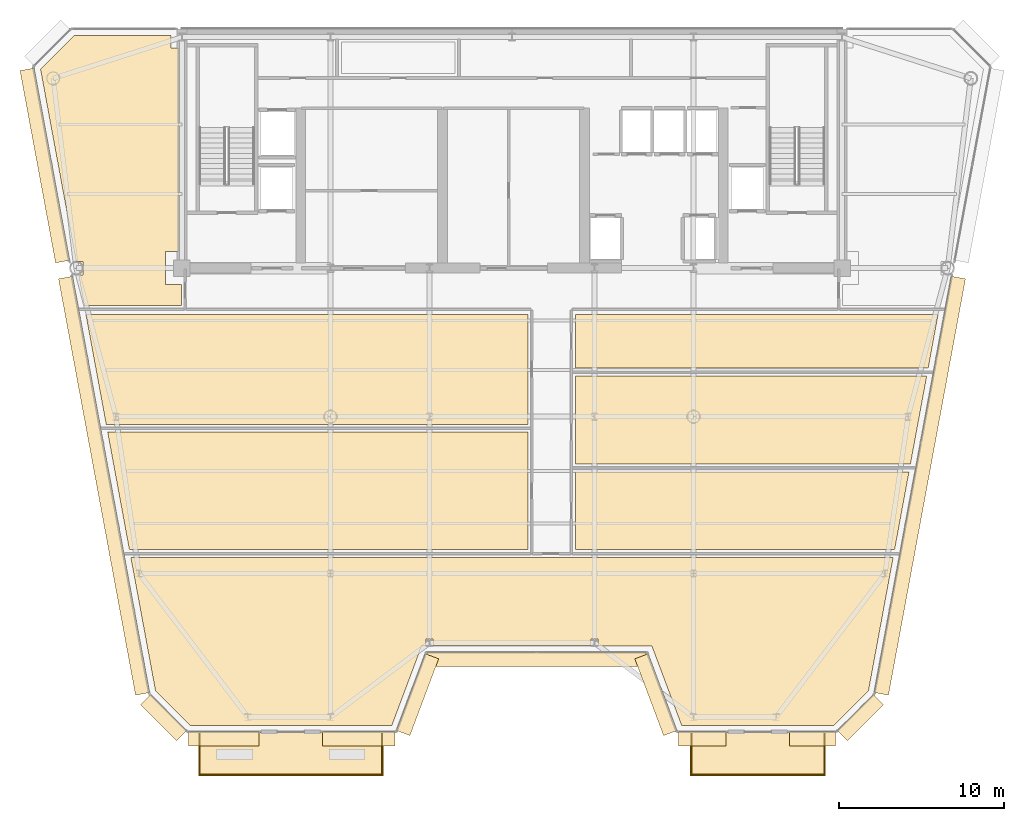
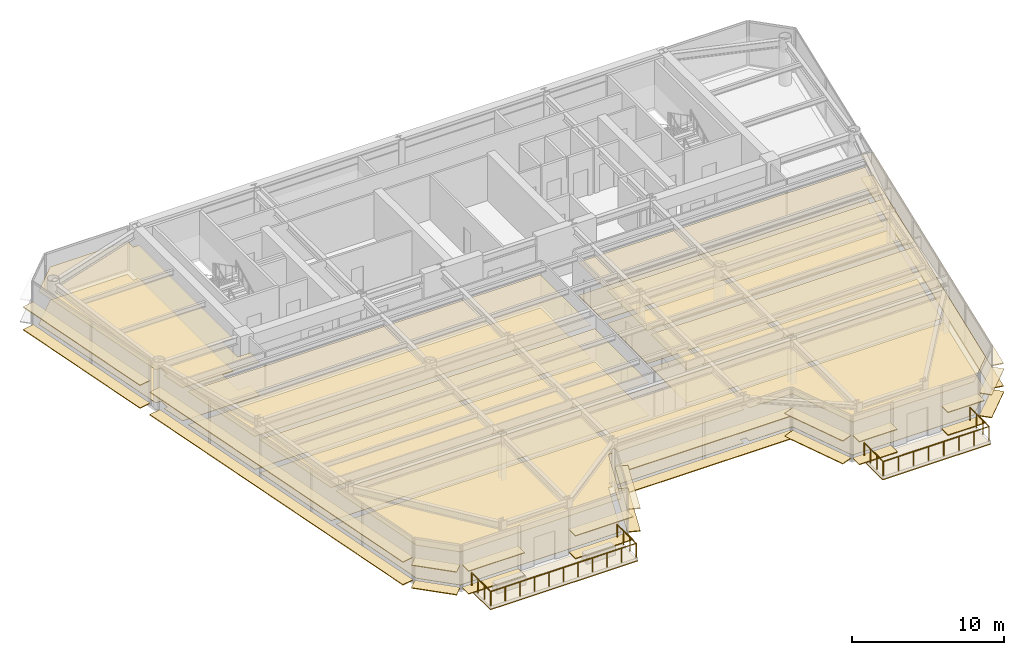
# One storey, part 13 of 16: 40 coverings, 2 railings.
"""IFC4 building model written with IfcOpenShell, lengths in metres."""

import ifcopenshell
import ifcopenshell.guid

model = None  # the IFC model being written
_history = None  # IfcOwnerHistory: only IFC2X3 demands one
_inside = {}  # id of a spatial element -> (the spatial element, [elements in it])
_under = {}  # id of a project, library or spatial element -> (it, [spatial elements below it])
_declared = {}  # id of a project -> (the project, [libraries it declares])
_typed = {}  # id of a type object -> (the type object, [elements of that type])
_made_of = {}  # id of a material, layer set ... -> (it, [elements and type objects made of it])


def new_model(schema):
    """Start an empty IFC model of exactly this schema.

    Asked for "IFC4X3", IfcOpenShell would pick the latest addendum, in which some entities
    have other attributes; the version numbers below select the first issue.
    IFC2X3 requires an IfcOwnerHistory on every rooted entity: one is made here for all.
    """
    global model, _history
    if schema == "IFC4X3":
        model = ifcopenshell.file(schema_version=(4, 3, 0, 0))
    else:
        model = ifcopenshell.file(schema=schema)
    _inside.clear()
    _under.clear()
    _declared.clear()
    _typed.clear()
    _made_of.clear()
    _history = None
    if model.schema == "IFC2X3":
        org = make("IfcOrganization", Name="unknown")
        user = make(
            "IfcPersonAndOrganization",
            ThePerson=make("IfcPerson", FamilyName="unknown"),
            TheOrganization=org,
        )
        app = make(
            "IfcApplication",
            ApplicationDeveloper=org,
            Version="unknown",
            ApplicationFullName="unknown",
            ApplicationIdentifier="unknown",
        )
        _history = make(
            "IfcOwnerHistory",
            OwningUser=user,
            OwningApplication=app,
            ChangeAction="ADDED",
            CreationDate=0,
        )
    return model


def make(cls, **values):
    """One entity of the class cls with the attributes given. An attribute that is None is left unset."""
    return model.create_entity(
        cls, **{name: value for name, value in values.items() if value is not None}
    )


def rooted(cls, **values):
    """An entity with a GlobalId (a new one), such as an element, a storey or a relation."""
    return make(cls, GlobalId=ifcopenshell.guid.new(), OwnerHistory=_history, **values)


def si_unit(unit_type, name, prefix=None):
    """IfcSIUnit, for example si_unit("LENGTHUNIT", "METRE", prefix="MILLI")."""
    return make("IfcSIUnit", UnitType=unit_type, Prefix=prefix, Name=name)


def assignment(units):
    """IfcUnitAssignment: the units of a project."""
    return None if units is None else make("IfcUnitAssignment", Units=units)


def point(xyz):
    """IfcCartesianPoint."""
    return None if xyz is None else make("IfcCartesianPoint", Coordinates=xyz)


def direction(xyz):
    """IfcDirection."""
    return None if xyz is None else make("IfcDirection", DirectionRatios=xyz)


def frame(location, z_axis=None, x_axis=None):
    """IfcAxis2Placement3D, a coordinate frame: its origin and axes. An axis left out is left unset."""
    return make(
        "IfcAxis2Placement3D",
        Location=point(location),
        Axis=direction(z_axis),
        RefDirection=direction(x_axis),
    )


def frame_2d(location, x_axis=None):
    """IfcAxis2Placement2D, a coordinate frame in the plane: its origin and x axis."""
    return make(
        "IfcAxis2Placement2D", Location=point(location), RefDirection=direction(x_axis)
    )


def origin():
    """The frame at (0, 0, 0) with its axes left unset."""
    return frame((0.0, 0.0, 0.0))


def origin_2d():
    """The frame at (0, 0) in the plane with its x axis left unset."""
    return frame_2d((0.0, 0.0))


def place(relative_to, where):
    """IfcLocalPlacement: puts the frame where relative to a parent placement (None: the world)."""
    return make(
        "IfcLocalPlacement", PlacementRelTo=relative_to, RelativePlacement=where
    )


def context(
    kind, dimensions, precision=None, world=None, true_north=None, identifier=None
):
    """IfcGeometricRepresentationContext, for example the 3D "Model" context."""
    return make(
        "IfcGeometricRepresentationContext",
        ContextIdentifier=identifier,
        ContextType=kind,
        CoordinateSpaceDimension=dimensions,
        Precision=precision,
        WorldCoordinateSystem=world,
        TrueNorth=true_north,
    )


def subcontext(parent, identifier, kind, view, scale=None):
    """IfcGeometricRepresentationSubContext, for example "Body" below "Model"."""
    return make(
        "IfcGeometricRepresentationSubContext",
        ContextIdentifier=identifier,
        ContextType=kind,
        ParentContext=parent,
        TargetScale=scale,
        TargetView=view,
    )


def project(units=None, contexts=None):
    """IfcProject with its units and contexts."""
    return rooted(
        "IfcProject",
        Name="project",
        RepresentationContexts=contexts,
        UnitsInContext=assignment(units),
    )


def spatial(cls, under=None, at=None, **own):
    """A site, building, storey or space (cls), placed at a placement, below another one or the project."""
    s = rooted(cls, ObjectPlacement=at, **own)
    if under is not None:
        _under.setdefault(under.id(), (under, []))[1].append(s)
    return s


def polyline(points):
    """IfcPolyline through the points."""
    return make("IfcPolyline", Points=[point(p) for p in points])


def profile(cls, at=None, kind="AREA", **sizes):
    """A parametric profile (cls). Its sizes go by their IFC names, for example OverallWidth=200.0."""
    return make(cls, ProfileType=kind, Position=at, **sizes)


def rectangle(**sizes):
    """IfcRectangleProfileDef."""
    return profile("IfcRectangleProfileDef", **sizes)


def circle(**sizes):
    """IfcCircleProfileDef."""
    return profile("IfcCircleProfileDef", **sizes)


def outline(outer, holes=None, kind="AREA"):
    """IfcArbitraryClosedProfileDef: a profile drawn as a closed curve; with holes, ...WithVoids."""
    if holes is None:
        return make("IfcArbitraryClosedProfileDef", ProfileType=kind, OuterCurve=outer)
    return make(
        "IfcArbitraryProfileDefWithVoids",
        ProfileType=kind,
        OuterCurve=outer,
        InnerCurves=holes,
    )


def extrude(swept, where, along, depth):
    """IfcExtrudedAreaSolid: the profile swept, set in the frame where, extruded along a direction by depth."""
    return make(
        "IfcExtrudedAreaSolid",
        SweptArea=swept,
        Position=where,
        ExtrudedDirection=direction(along),
        Depth=depth,
    )


def shape(context_of_items, identifier, shape_type, items):
    """IfcShapeRepresentation: the items that make up one representation, for example the "Body"."""
    return make(
        "IfcShapeRepresentation",
        ContextOfItems=context_of_items,
        RepresentationIdentifier=identifier,
        RepresentationType=shape_type,
        Items=items,
    )


def source(mapping_origin, context_of_items, identifier, shape_type, items):
    """IfcRepresentationMap: a shape defined once, which mapped items show again and again."""
    return make(
        "IfcRepresentationMap",
        MappingOrigin=mapping_origin,
        MappedRepresentation=shape(context_of_items, identifier, shape_type, items),
    )


def transform(
    local_origin,
    x_axis=None,
    y_axis=None,
    z_axis=None,
    scale=None,
    scale2=None,
    scale3=None,
    uniform=True,
):
    """IfcCartesianTransformationOperator3D, or its non-uniform kind. x_axis, y_axis, z_axis: its Axis1, 2, 3."""
    if uniform:
        return make(
            "IfcCartesianTransformationOperator3D",
            Axis1=direction(x_axis),
            Axis2=direction(y_axis),
            LocalOrigin=point(local_origin),
            Scale=scale,
            Axis3=direction(z_axis),
        )
    return make(
        "IfcCartesianTransformationOperator3DnonUniform",
        Axis1=direction(x_axis),
        Axis2=direction(y_axis),
        LocalOrigin=point(local_origin),
        Scale=scale,
        Axis3=direction(z_axis),
        Scale2=scale2,
        Scale3=scale3,
    )


def mapped(mapping_source, mapping_target):
    """IfcMappedItem: shows the shape of a source again, moved by a transform."""
    return make(
        "IfcMappedItem", MappingSource=mapping_source, MappingTarget=mapping_target
    )


def material(Name=None, Category=None):
    """IfcMaterial."""
    return make("IfcMaterial", Name=Name, Category=Category)


def layer(
    of_material, thickness, ventilated=None, Name=None, Category=None, Priority=None
):
    """IfcMaterialLayer: one layer of a wall or slab, of a material (None: an air gap)."""
    return make(
        "IfcMaterialLayer",
        Material=of_material,
        LayerThickness=thickness,
        IsVentilated=ventilated,
        Name=Name,
        Category=Category,
        Priority=Priority,
    )


def layer_set(layers, Name=None):
    """IfcMaterialLayerSet."""
    return make("IfcMaterialLayerSet", MaterialLayers=layers, LayerSetName=Name)


def made_of(thing, what):
    """Note that an element or type object is made of a material, layer set ...; save() writes the relation."""
    if what is not None:
        _made_of.setdefault(what.id(), (what, []))[1].append(thing)
    return thing


def type_object(cls, material=None, **own):
    """A type object (cls), such as IfcWallType, which elements share."""
    return made_of(rooted(cls, **own), material)


def element(
    cls,
    number,
    at=None,
    inside=None,
    cuts=None,
    type_object=None,
    material=None,
    context=None,
    identifier="Body",
    shape_type=None,
    held_by="IfcProductDefinitionShape",
    body=None,
    shapes=None,
    **own,
):
    """One element of the class cls, such as IfcWall. Its Tag is "e" and its number.

    at: its placement. inside: the storey or other place that contains it. cuts: it is an
    opening in that element (IfcRelVoidsElement). A single representation is given by context,
    identifier, shape_type and body (its items); several are given by shapes. held_by: the class
    of the entity that holds the representations. save() writes the other relations.
    """
    e = rooted(cls, Tag="e%d" % number, ObjectPlacement=at, **own)
    if body is not None:
        shapes = [shape(context, identifier, shape_type, body)]
    if shapes is not None:
        e.Representation = make(held_by, Representations=shapes)
    if inside is not None:
        _inside.setdefault(inside.id(), (inside, []))[1].append(e)
    if cuts is not None:
        rooted(
            "IfcRelVoidsElement", RelatingBuildingElement=cuts, RelatedOpeningElement=e
        )
    if type_object is not None:
        _typed.setdefault(type_object.id(), (type_object, []))[1].append(e)
    return made_of(e, material)


def aggregate(whole, parts):
    """IfcRelAggregates: a whole, such as a stair, and the parts it consists of."""
    return rooted("IfcRelAggregates", RelatingObject=whole, RelatedObjects=parts)


def save(model, path):
    """Write the relations noted so far, then the file.

    IfcRelAggregates (storeys below a building ...), IfcRelContainedInSpatialStructure (elements
    in a storey), IfcRelDefinesByType, IfcRelAssociatesMaterial and IfcRelDeclares: one each for
    every whole, place, type object, material and project.
    """
    for whole, parts in _under.values():
        aggregate(whole, parts)
    for where, things in _inside.values():
        rooted(
            "IfcRelContainedInSpatialStructure",
            RelatedElements=things,
            RelatingStructure=where,
        )
    for kind, things in _typed.values():
        rooted("IfcRelDefinesByType", RelatedObjects=things, RelatingType=kind)
    for what, things in _made_of.values():
        rooted("IfcRelAssociatesMaterial", RelatedObjects=things, RelatingMaterial=what)
    for by, libraries in _declared.values():
        rooted("IfcRelDeclares", RelatingContext=by, RelatedDefinitions=libraries)
    model.write(path)


model = new_model("IFC4")

# Units and contexts
model_context = context("Model", 3, precision=1e-05, world=origin(), true_north=direction((0.0, 1.0)))
body_context = subcontext(model_context, "Body", "Model", "MODEL_VIEW")
ifc_project = project(units=[si_unit("LENGTHUNIT", "METRE"), si_unit("AREAUNIT", "SQUARE_METRE"), si_unit("VOLUMEUNIT", "CUBIC_METRE"), si_unit("PLANEANGLEUNIT", "RADIAN"), si_unit("MASSUNIT", "GRAM", prefix="KILO")], contexts=[model_context])

# Site, building, storey
site_placement = place(None, origin())
site = spatial("IfcSite", under=ifc_project, at=site_placement, CompositionType="ELEMENT")
building_placement = place(site_placement, origin())
building = spatial("IfcBuilding", under=site, at=building_placement, Name="Vaeldorn Concourse Tower", CompositionType="ELEMENT")
storey_placement = place(building_placement, frame((0.0, 0.0, 207.0)))
storey = spatial("IfcBuildingStorey", under=building, at=storey_placement, Name="L53", CompositionType="ELEMENT", Elevation=207.0)

# Coverings
ifc_material_1 = material(Name="Acoustic Mineral Fibre Board", Category="gypsum")
ifc_layer_1 = layer(ifc_material_1, 0.0400390625)
ifc_layer_set_1 = layer_set([ifc_layer_1], Name="Acoustic Mineral Fibre Board")
covering_type_1 = type_object("IfcCoveringType", Name="COV-CEIL-ACOUSTIC", PredefinedType="CEILING", material=ifc_layer_set_1)
covering_1_placement = place(storey_placement, frame((0.0, 0.0, 2.64990234375)))
element("IfcCovering", 1, at=covering_1_placement, inside=storey, type_object=covering_type_1, Name="Suspended Acoustic Ceiling L53-3", PredefinedType="CEILING", context=body_context, shape_type="SweptSolid", body=[
    extrude(outline(polyline([(7.4658203125, 50.60009765625), (13.340087890625, 50.60009765625), (13.340087890625, 49.840087890625), (13.820068359375, 49.840087890625), (13.820068359375, 37.5), (13.0, 37.5), (13.0, 35.5), (13.9599609375, 35.5), (13.9599609375, 34.239990234375), (8.08154296875, 34.239990234375), (7.73876953125, 36.093505859375), (8.006591796875, 36.093505859375), (8.006591796875, 36.906494140625), (7.58837890625, 36.906494140625), (5.431640625, 48.56591796875), (7.4658203125, 50.60009765625)])), origin(), (0.0, 0.0, 1.0), 0.0400390625),
])
covering_2_placement = place(storey_placement, frame((0.0, 0.0, 2.64990234375)))
element("IfcCovering", 2, at=covering_2_placement, inside=storey, type_object=covering_type_1, Name="Suspended Acoustic Ceiling L53-5", PredefinedType="CEILING", context=body_context, shape_type="SweptSolid", body=[
    extrude(outline(polyline([(34.9599609375, 26.56005859375), (34.9599609375, 19.43994140625), (10.819091796875, 19.43994140625), (9.502197265625, 26.56005859375), (34.9599609375, 26.56005859375)])), origin(), (0.0, 0.0, 1.0), 0.0400390625),
])
covering_3_placement = place(storey_placement, frame((0.0, 0.0, 2.64990234375)))
element("IfcCovering", 3, at=covering_3_placement, inside=storey, type_object=covering_type_1, Name="Suspended Acoustic Ceiling L53-6", PredefinedType="CEILING", context=body_context, shape_type="SweptSolid", body=[
    extrude(outline(polyline([(34.9599609375, 33.699951171875), (34.9599609375, 27.0400390625), (9.413330078125, 27.0400390625), (8.181396484375, 33.699951171875), (34.9599609375, 33.699951171875)])), origin(), (0.0, 0.0, 1.0), 0.0400390625),
])
covering_4_placement = place(storey_placement, frame((0.0, 0.0, 2.64990234375)))
element("IfcCovering", 4, at=covering_4_placement, inside=storey, type_object=covering_type_1, Name="Suspended Acoustic Ceiling L53-7", PredefinedType="CEILING", context=body_context, shape_type="SweptSolid", body=[
    extrude(outline(polyline([(37.840087890625, 19.43994140625), (37.840087890625, 24.159912109375), (58.053955078125, 24.159912109375), (57.180908203125, 19.43994140625), (37.840087890625, 19.43994140625)])), origin(), (0.0, 0.0, 1.0), 0.0400390625),
])
covering_5_placement = place(storey_placement, frame((0.0, 0.0, 2.64990234375)))
element("IfcCovering", 5, at=covering_5_placement, inside=storey, type_object=covering_type_1, Name="Suspended Acoustic Ceiling L53-8", PredefinedType="CEILING", context=body_context, shape_type="SweptSolid", body=[
    extrude(outline(polyline([(37.840087890625, 24.639892578125), (37.840087890625, 29.9599609375), (59.126708984375, 29.9599609375), (58.142578125, 24.639892578125), (37.840087890625, 24.639892578125)])), origin(), (0.0, 0.0, 1.0), 0.0400390625),
])
covering_6_placement = place(storey_placement, frame((0.0, 0.0, 2.64990234375)))
element("IfcCovering", 6, at=covering_6_placement, inside=storey, type_object=covering_type_1, Name="Suspended Acoustic Ceiling L53-9", PredefinedType="CEILING", context=body_context, shape_type="SweptSolid", body=[
    extrude(outline(polyline([(37.840087890625, 30.43994140625), (37.840087890625, 33.699951171875), (59.818603515625, 33.699951171875), (59.215576171875, 30.43994140625), (37.840087890625, 30.43994140625)])), origin(), (0.0, 0.0, 1.0), 0.0400390625),
])
covering_7_placement = place(storey_placement, frame((0.0, 0.0, 2.64990234375)))
element("IfcCovering", 7, at=covering_7_placement, inside=storey, type_object=covering_type_1, Name="Suspended Acoustic Ceiling L53-10", PredefinedType="CEILING", context=body_context, shape_type="SweptSolid", body=[
    extrude(outline(polyline([(57.092041015625, 18.9599609375), (56.973876953125, 18.32080078125), (56.823486328125, 17.50732421875), (56.4580078125, 15.531982421875), (56.4580078125, 15.531982421875), (55.600341796875, 10.89501953125), (53.50537109375, 8.800048828125), (44.277099609375, 8.800048828125), (42.477294921875, 13.60009765625), (39.2060546875, 13.60009765625), (39.2060546875, 14.017578125), (38.7939453125, 14.017578125), (38.7939453125, 13.60009765625), (29.2060546875, 13.60009765625), (29.2060546875, 14.017578125), (28.7939453125, 14.017578125), (28.7939453125, 13.60009765625), (28.522705078125, 13.60009765625), (26.722900390625, 8.800048828125), (14.49462890625, 8.800048828125), (12.399658203125, 10.89501953125), (11.6796875, 14.787109375), (11.176513671875, 17.50732421875), (10.907958984375, 18.9599609375), (57.092041015625, 18.9599609375)])), origin(), (0.0, 0.0, 1.0), 0.0400390625),
])
ifc_material_2 = material(Name="Honed Limestone Terrazzo Flooring", Category="masonry")
ifc_layer_2 = layer(ifc_material_2, 0.0400390625)
ifc_layer_set_2 = layer_set([ifc_layer_2], Name="Honed Limestone Terrazzo Flooring")
covering_type_2 = type_object("IfcCoveringType", Name="COV-FLOOR-STONE", PredefinedType="FLOORING", material=ifc_layer_set_2)
covering_8_placement = place(storey_placement, origin())
element("IfcCovering", 8, at=covering_8_placement, inside=storey, type_object=covering_type_2, Name="Floor Finish Covering L53-3", PredefinedType="FLOORING", context=body_context, shape_type="SweptSolid", body=[
    extrude(outline(polyline([(7.4658203125, 50.60009765625), (13.340087890625, 50.60009765625), (13.340087890625, 49.840087890625), (13.820068359375, 49.840087890625), (13.820068359375, 37.5), (13.0, 37.5), (13.0, 35.5), (13.9599609375, 35.5), (13.9599609375, 34.239990234375), (8.08154296875, 34.239990234375), (7.73876953125, 36.093505859375), (8.006591796875, 36.093505859375), (8.006591796875, 36.906494140625), (7.58837890625, 36.906494140625), (5.431640625, 48.56591796875), (7.4658203125, 50.60009765625)])), origin(), (0.0, 0.0, 1.0), 0.030029296875),
])
covering_9_placement = place(storey_placement, origin())
element("IfcCovering", 9, at=covering_9_placement, inside=storey, type_object=covering_type_2, Name="Floor Finish Covering L53-5", PredefinedType="FLOORING", context=body_context, shape_type="SweptSolid", body=[
    extrude(outline(polyline([(34.9599609375, 26.56005859375), (34.9599609375, 19.43994140625), (10.819091796875, 19.43994140625), (9.502197265625, 26.56005859375), (34.9599609375, 26.56005859375)])), origin(), (0.0, 0.0, 1.0), 0.030029296875),
])
covering_10_placement = place(storey_placement, origin())
element("IfcCovering", 10, at=covering_10_placement, inside=storey, type_object=covering_type_2, Name="Floor Finish Covering L53-6", PredefinedType="FLOORING", context=body_context, shape_type="SweptSolid", body=[
    extrude(outline(polyline([(34.9599609375, 33.699951171875), (34.9599609375, 27.0400390625), (9.413330078125, 27.0400390625), (8.181396484375, 33.699951171875), (34.9599609375, 33.699951171875)])), origin(), (0.0, 0.0, 1.0), 0.030029296875),
])
covering_11_placement = place(storey_placement, origin())
element("IfcCovering", 11, at=covering_11_placement, inside=storey, type_object=covering_type_2, Name="Floor Finish Covering L53-7", PredefinedType="FLOORING", context=body_context, shape_type="SweptSolid", body=[
    extrude(outline(polyline([(37.840087890625, 19.43994140625), (37.840087890625, 24.159912109375), (58.053955078125, 24.159912109375), (57.180908203125, 19.43994140625), (37.840087890625, 19.43994140625)])), origin(), (0.0, 0.0, 1.0), 0.030029296875),
])
covering_12_placement = place(storey_placement, origin())
element("IfcCovering", 12, at=covering_12_placement, inside=storey, type_object=covering_type_2, Name="Floor Finish Covering L53-8", PredefinedType="FLOORING", context=body_context, shape_type="SweptSolid", body=[
    extrude(outline(polyline([(37.840087890625, 24.639892578125), (37.840087890625, 29.9599609375), (59.126708984375, 29.9599609375), (58.142578125, 24.639892578125), (37.840087890625, 24.639892578125)])), origin(), (0.0, 0.0, 1.0), 0.030029296875),
])
covering_13_placement = place(storey_placement, origin())
element("IfcCovering", 13, at=covering_13_placement, inside=storey, type_object=covering_type_2, Name="Floor Finish Covering L53-9", PredefinedType="FLOORING", context=body_context, shape_type="SweptSolid", body=[
    extrude(outline(polyline([(37.840087890625, 30.43994140625), (37.840087890625, 33.699951171875), (59.818603515625, 33.699951171875), (59.215576171875, 30.43994140625), (37.840087890625, 30.43994140625)])), origin(), (0.0, 0.0, 1.0), 0.030029296875),
])
covering_14_placement = place(storey_placement, origin())
element("IfcCovering", 14, at=covering_14_placement, inside=storey, type_object=covering_type_2, Name="Floor Finish Covering L53-10", PredefinedType="FLOORING", context=body_context, shape_type="SweptSolid", body=[
    extrude(outline(polyline([(57.092041015625, 18.9599609375), (56.973876953125, 18.32080078125), (56.823486328125, 17.50732421875), (56.4580078125, 15.531982421875), (56.4580078125, 15.531982421875), (55.600341796875, 10.89501953125), (53.50537109375, 8.800048828125), (44.277099609375, 8.800048828125), (42.477294921875, 13.60009765625), (39.2060546875, 13.60009765625), (39.2060546875, 14.017578125), (38.7939453125, 14.017578125), (38.7939453125, 13.60009765625), (29.2060546875, 13.60009765625), (29.2060546875, 14.017578125), (28.7939453125, 14.017578125), (28.7939453125, 13.60009765625), (28.522705078125, 13.60009765625), (26.722900390625, 8.800048828125), (14.49462890625, 8.800048828125), (12.399658203125, 10.89501953125), (11.6796875, 14.787109375), (11.176513671875, 17.50732421875), (10.907958984375, 18.9599609375), (57.092041015625, 18.9599609375)])), origin(), (0.0, 0.0, 1.0), 0.030029296875),
])
ifc_material_3 = material(Name="EPDM Waterproof Membrane and Insulation", Category="plastic")
ifc_layer_3 = layer(ifc_material_3, 0.080078125)
ifc_layer_set_3 = layer_set([ifc_layer_3], Name="EPDM Waterproof Membrane and Insulation")
covering_type_3 = type_object("IfcCoveringType", Name="COV-ROOFING-EPDM", PredefinedType="ROOFING", material=ifc_layer_set_3)
covering_15_placement = place(storey_placement, frame((0.0, 0.0, -0.300048828125)))
element("IfcCovering", 15, at=covering_15_placement, inside=storey, type_object=covering_type_3, Name="Sky Garden Waterproofing Membrane L53-1", PredefinedType="ROOFING", context=body_context, shape_type="SweptSolid", body=[
    extrude(outline(polyline([(14.990966796875, 5.719970703125), (26.199951171875, 5.719970703125), (26.199951171875, 8.3798828125), (14.990966796875, 8.3798828125), (14.990966796875, 5.719970703125)])), origin(), (0.0, 0.0, 1.0), 0.080078125),
])
covering_16_placement = place(storey_placement, frame((0.0, 0.0, -0.300048828125)))
element("IfcCovering", 16, at=covering_16_placement, inside=storey, type_object=covering_type_3, Name="Sky Garden Waterproofing Membrane L53-2", PredefinedType="ROOFING", context=body_context, shape_type="SweptSolid", body=[
    extrude(outline(polyline([(44.800048828125, 5.719970703125), (53.009033203125, 5.719970703125), (53.009033203125, 8.3798828125), (44.800048828125, 8.3798828125), (44.800048828125, 5.719970703125)])), origin(), (0.0, 0.0, 1.0), 0.080078125),
])

# Railings
ifc_material_4 = material(Name="Anodised Bronze Aluminium", Category="aluminium")
railing_type = type_object("IfcRailingType", Name="RL-BALUSTRADE-1150", PredefinedType="BALUSTRADE", material=ifc_material_4)
railing_1_placement = place(storey_placement, frame((15.071044921875, 8.300048828125, 0.0)))
element("IfcRailing", 17, at=railing_1_placement, inside=storey, type_object=railing_type, Name="Sawtooth Sky Garden Balustrade L53-1", PredefinedType="BALUSTRADE", context=body_context, shape_type="SweptSolid", body=[
    extrude(circle(Radius=0.02392578125, at=origin_2d()), frame((0.0, 0.0, 1.1259765625), z_axis=(0.0, -1.0, 0.0), x_axis=(1.0, 0.0, 0.0)), (0.0, 0.0, 1.0), 2.5),
    extrude(circle(Radius=0.02392578125, at=origin_2d()), frame((0.0, -2.5, 1.1259765625), z_axis=(1.0, 0.0, 0.0), x_axis=(0.0, 1.0, 0.0)), (0.0, 0.0, 1.0), 11.049072265625),
    extrude(circle(Radius=0.02392578125, at=origin_2d()), frame((11.049072265625, -2.5, 1.1259765625), z_axis=(0.0, 1.0, 0.0), x_axis=(-1.0, 0.0, 0.0)), (0.0, 0.0, 1.0), 2.5),
    extrude(circle(Radius=0.02099609375, at=origin_2d()), origin(), (0.0, 0.0, 1.0), 1.101806640625),
    extrude(circle(Radius=0.02099609375, at=origin_2d()), frame((0.0, -0.833251953125, 0.0)), (0.0, 0.0, 1.0), 1.101806640625),
    extrude(circle(Radius=0.02099609375, at=origin_2d()), frame((0.0, -1.666748046875, 0.0)), (0.0, 0.0, 1.0), 1.101806640625),
    extrude(circle(Radius=0.02099609375, at=origin_2d()), frame((0.0, -2.5, 0.0)), (0.0, 0.0, 1.0), 1.101806640625),
    extrude(circle(Radius=0.02099609375, at=origin_2d()), frame((1.10498046875, -2.5, 0.0)), (0.0, 0.0, 1.0), 1.101806640625),
    extrude(circle(Radius=0.02099609375, at=origin_2d()), frame((2.209716796875, -2.5, 0.0)), (0.0, 0.0, 1.0), 1.101806640625),
    extrude(circle(Radius=0.02099609375, at=origin_2d()), frame((3.314697265625, -2.5, 0.0)), (0.0, 0.0, 1.0), 1.101806640625),
    extrude(circle(Radius=0.02099609375, at=origin_2d()), frame((4.419677734375, -2.5, 0.0)), (0.0, 0.0, 1.0), 1.101806640625),
    extrude(circle(Radius=0.02099609375, at=origin_2d()), frame((5.5244140625, -2.5, 0.0)), (0.0, 0.0, 1.0), 1.101806640625),
    extrude(circle(Radius=0.02099609375, at=origin_2d()), frame((6.62939453125, -2.5, 0.0)), (0.0, 0.0, 1.0), 1.101806640625),
    extrude(circle(Radius=0.02099609375, at=origin_2d()), frame((7.734375, -2.5, 0.0)), (0.0, 0.0, 1.0), 1.101806640625),
    extrude(circle(Radius=0.02099609375, at=origin_2d()), frame((8.83935546875, -2.5, 0.0)), (0.0, 0.0, 1.0), 1.101806640625),
    extrude(circle(Radius=0.02099609375, at=origin_2d()), frame((9.944091796875, -2.5, 0.0)), (0.0, 0.0, 1.0), 1.101806640625),
    extrude(circle(Radius=0.02099609375, at=origin_2d()), frame((11.049072265625, -2.5, 0.0)), (0.0, 0.0, 1.0), 1.101806640625),
    extrude(circle(Radius=0.02099609375, at=origin_2d()), frame((11.049072265625, -1.666748046875, 0.0)), (0.0, 0.0, 1.0), 1.101806640625),
    extrude(circle(Radius=0.02099609375, at=origin_2d()), frame((11.049072265625, -0.833251953125, 0.0)), (0.0, 0.0, 1.0), 1.101806640625),
    extrude(circle(Radius=0.02099609375, at=origin_2d()), frame((11.049072265625, 0.0, 0.0)), (0.0, 0.0, 1.0), 1.101806640625),
])
railing_2_placement = place(storey_placement, frame((44.8798828125, 8.300048828125, 0.0)))
element("IfcRailing", 18, at=railing_2_placement, inside=storey, type_object=railing_type, Name="Sawtooth Sky Garden Balustrade L53-2", PredefinedType="BALUSTRADE", context=body_context, shape_type="SweptSolid", body=[
    extrude(circle(Radius=0.02392578125, at=origin_2d()), frame((0.0, 0.0, 1.1259765625), z_axis=(0.0, -1.0, 0.0), x_axis=(1.0, 0.0, 0.0)), (0.0, 0.0, 1.0), 2.5),
    extrude(circle(Radius=0.02392578125, at=origin_2d()), frame((0.0, -2.5, 1.1259765625), z_axis=(1.0, 0.0, 0.0), x_axis=(0.0, 1.0, 0.0)), (0.0, 0.0, 1.0), 8.049072265625),
    extrude(circle(Radius=0.02392578125, at=origin_2d()), frame((8.049072265625, -2.5, 1.1259765625), z_axis=(0.0, 1.0, 0.0), x_axis=(-1.0, 0.0, 0.0)), (0.0, 0.0, 1.0), 2.5),
    extrude(circle(Radius=0.02099609375, at=origin_2d()), origin(), (0.0, 0.0, 1.0), 1.101806640625),
    extrude(circle(Radius=0.02099609375, at=origin_2d()), frame((0.0, -0.833251953125, 0.0)), (0.0, 0.0, 1.0), 1.101806640625),
    extrude(circle(Radius=0.02099609375, at=origin_2d()), frame((0.0, -1.666748046875, 0.0)), (0.0, 0.0, 1.0), 1.101806640625),
    extrude(circle(Radius=0.02099609375, at=origin_2d()), frame((0.0, -2.5, 0.0)), (0.0, 0.0, 1.0), 1.101806640625),
    extrude(circle(Radius=0.02099609375, at=origin_2d()), frame((1.14990234375, -2.5, 0.0)), (0.0, 0.0, 1.0), 1.101806640625),
    extrude(circle(Radius=0.02099609375, at=origin_2d()), frame((2.2998046875, -2.5, 0.0)), (0.0, 0.0, 1.0), 1.101806640625),
    extrude(circle(Radius=0.02099609375, at=origin_2d()), frame((3.44970703125, -2.5, 0.0)), (0.0, 0.0, 1.0), 1.101806640625),
    extrude(circle(Radius=0.02099609375, at=origin_2d()), frame((4.599365234375, -2.5, 0.0)), (0.0, 0.0, 1.0), 1.101806640625),
    extrude(circle(Radius=0.02099609375, at=origin_2d()), frame((5.749267578125, -2.5, 0.0)), (0.0, 0.0, 1.0), 1.101806640625),
    extrude(circle(Radius=0.02099609375, at=origin_2d()), frame((6.899169921875, -2.5, 0.0)), (0.0, 0.0, 1.0), 1.101806640625),
    extrude(circle(Radius=0.02099609375, at=origin_2d()), frame((8.049072265625, -2.5, 0.0)), (0.0, 0.0, 1.0), 1.101806640625),
    extrude(circle(Radius=0.02099609375, at=origin_2d()), frame((8.049072265625, -1.666748046875, 0.0)), (0.0, 0.0, 1.0), 1.101806640625),
    extrude(circle(Radius=0.02099609375, at=origin_2d()), frame((8.049072265625, -0.833251953125, 0.0)), (0.0, 0.0, 1.0), 1.101806640625),
    extrude(circle(Radius=0.02099609375, at=origin_2d()), frame((8.049072265625, 0.0, 0.0)), (0.0, 0.0, 1.0), 1.101806640625),
])

# Coverings
ifc_layer_4 = layer(ifc_material_4, 0.06494140625)
ifc_layer_set_4 = layer_set([ifc_layer_4], Name="Anodised Bronze Aluminium")
covering_type_4 = type_object("IfcCoveringType", Name="SD-BRONZE-SUNSHADE", PredefinedType="USERDEFINED", material=ifc_layer_set_4)
shared_shape_1 = source(origin(), body_context, "Body", "SweptSolid", [
    extrude(rectangle(XDim=4.96630859375, YDim=0.8798828125, at=origin_2d()), origin(), (0.0, 0.0, 1.0), 0.06494140625),
])
for number, where, z_axis, x_axis, name in (
    (19, (28.2744140625, 10.65966796875, 0.047607421875), (0.0, 0.0, 1.0), (0.351122702609, 0.936329454686, 0.0), "Horizontal Bronze Sunshade L53-E02.1.1"),
    (20, (28.2744140625, 10.65966796875, 1.867431640625), (0.0, 0.0, 1.0), (0.351122702609, 0.936329454686, 0.0), "Horizontal Bronze Sunshade L53-E02.1.2"),
    (21, (42.7255859375, 10.65966796875, 0.047607421875), (0.0, 0.0, 1.0), (0.351122702609, -0.936329454686, 0.0), "Horizontal Bronze Sunshade L53-E04.1.1"),
    (22, (42.7255859375, 10.65966796875, 1.867431640625), (0.0, 0.0, 1.0), (0.351122702609, -0.936329454686, 0.0), "Horizontal Bronze Sunshade L53-E04.1.2"),
):
    element("IfcCovering", number, at=place(storey_placement, frame(where, z_axis=z_axis, x_axis=x_axis)), inside=storey, type_object=covering_type_4, Name=name, ObjectType="SUNSHADE", PredefinedType="USERDEFINED", context=body_context, shape_type="MappedRepresentation", body=[
        mapped(shared_shape_1, transform((0.0, 0.0, 0.0), scale=1.0)),
    ])
shared_shape_2 = source(origin(), body_context, "Body", "SweptSolid", [
    extrude(rectangle(XDim=13.239990234375, YDim=0.8798828125, at=origin_2d()), origin(), (0.0, 0.0, 1.0), 0.06494140625),
])
for number, where, z_axis, x_axis, name in (
    (23, (35.5, 12.800048828125, 0.047607421875), (0.0, 0.0, 1.0), (1.0, 0.0, 0.0), "Horizontal Bronze Sunshade L53-E03.1.1"),
    (24, (35.5, 12.800048828125, 1.867431640625), (0.0, 0.0, 1.0), (1.0, 0.0, 0.0), "Horizontal Bronze Sunshade L53-E03.1.2"),
):
    element("IfcCovering", number, at=place(storey_placement, frame(where, z_axis=z_axis, x_axis=x_axis)), inside=storey, type_object=covering_type_4, Name=name, ObjectType="SUNSHADE", PredefinedType="USERDEFINED", context=body_context, shape_type="MappedRepresentation", body=[
        mapped(shared_shape_2, transform((0.0, 0.0, 0.0), scale=1.0)),
    ])
shared_shape_3 = source(origin(), body_context, "Body", "SweptSolid", [
    extrude(rectangle(XDim=3.0927734375, YDim=0.8798828125, at=origin_2d()), origin(), (0.0, 0.0, 1.0), 0.06494140625),
])
for number, where, z_axis, x_axis, name in (
    (25, (55.103759765625, 9.26708984375, 0.047607421875), (0.0, 0.0, 1.0), (0.707106781187, 0.707106781187, 0.0), "Horizontal Bronze Sunshade L53-E06.1.1"),
    (26, (55.103759765625, 9.26708984375, 1.867431640625), (0.0, 0.0, 1.0), (0.707106781187, 0.707106781187, 0.0), "Horizontal Bronze Sunshade L53-E06.1.2"),
    (27, (12.896240234375, 9.26708984375, 0.047607421875), (0.0, 0.0, 1.0), (0.707106781187, -0.707106781187, 0.0), "Horizontal Bronze Sunshade L53-E12.1.1"),
    (28, (12.896240234375, 9.26708984375, 1.867431640625), (0.0, 0.0, 1.0), (0.707106781187, -0.707106781187, 0.0), "Horizontal Bronze Sunshade L53-E12.1.2"),
):
    element("IfcCovering", number, at=place(storey_placement, frame(where, z_axis=z_axis, x_axis=x_axis)), inside=storey, type_object=covering_type_4, Name=name, ObjectType="SUNSHADE", PredefinedType="USERDEFINED", context=body_context, shape_type="MappedRepresentation", body=[
        mapped(shared_shape_3, transform((0.0, 0.0, 0.0), scale=1.0)),
    ])
shared_shape_4 = source(origin(), body_context, "Body", "SweptSolid", [
    extrude(rectangle(XDim=4.27099609375, YDim=0.8798828125, at=origin_2d()), origin(), (0.0, 0.0, 1.0), 0.06494140625),
])
for number, where, z_axis, x_axis, name in (
    (29, (16.54443359375, 8.0, 0.047607421875), (0.0, 0.0, 1.0), (1.0, 0.0, 0.0), "Horizontal Bronze Sunshade L53-E01.1.1"),
    (30, (16.54443359375, 8.0, 1.867431640625), (0.0, 0.0, 1.0), (1.0, 0.0, 0.0), "Horizontal Bronze Sunshade L53-E01.1.2"),
):
    element("IfcCovering", number, at=place(storey_placement, frame(where, z_axis=z_axis, x_axis=x_axis)), inside=storey, type_object=covering_type_4, Name=name, ObjectType="SUNSHADE", PredefinedType="USERDEFINED", context=body_context, shape_type="MappedRepresentation", body=[
        mapped(shared_shape_4, transform((0.0, 0.0, 0.0), scale=1.0)),
    ])
shared_shape_5 = source(origin(), body_context, "Body", "SweptSolid", [
    extrude(rectangle(XDim=4.39990234375, YDim=0.8798828125, at=origin_2d()), origin(), (0.0, 0.0, 1.0), 0.06494140625),
])
for number, where, z_axis, x_axis, name in (
    (31, (24.719970703125, 8.0, 0.047607421875), (0.0, 0.0, 1.0), (1.0, 0.0, 0.0), "Horizontal Bronze Sunshade L53-E01.2.1"),
    (32, (24.719970703125, 8.0, 1.867431640625), (0.0, 0.0, 1.0), (1.0, 0.0, 0.0), "Horizontal Bronze Sunshade L53-E01.2.2"),
):
    element("IfcCovering", number, at=place(storey_placement, frame(where, z_axis=z_axis, x_axis=x_axis)), inside=storey, type_object=covering_type_4, Name=name, ObjectType="SUNSHADE", PredefinedType="USERDEFINED", context=body_context, shape_type="MappedRepresentation", body=[
        mapped(shared_shape_5, transform((0.0, 0.0, 0.0), scale=1.0)),
    ])
shared_shape_6 = source(origin(), body_context, "Body", "SweptSolid", [
    extrude(rectangle(XDim=2.89990234375, YDim=0.8798828125, at=origin_2d()), origin(), (0.0, 0.0, 1.0), 0.06494140625),
])
for number, where, z_axis, x_axis, name in (
    (33, (45.530029296875, 8.0, 0.047607421875), (0.0, 0.0, 1.0), (1.0, 0.0, 0.0), "Horizontal Bronze Sunshade L53-E05.1.1"),
    (34, (45.530029296875, 8.0, 1.867431640625), (0.0, 0.0, 1.0), (1.0, 0.0, 0.0), "Horizontal Bronze Sunshade L53-E05.1.2"),
):
    element("IfcCovering", number, at=place(storey_placement, frame(where, z_axis=z_axis, x_axis=x_axis)), inside=storey, type_object=covering_type_4, Name=name, ObjectType="SUNSHADE", PredefinedType="USERDEFINED", context=body_context, shape_type="MappedRepresentation", body=[
        mapped(shared_shape_6, transform((0.0, 0.0, 0.0), scale=1.0)),
    ])
shared_shape_7 = source(origin(), body_context, "Body", "SweptSolid", [
    extrude(rectangle(XDim=2.77099609375, YDim=0.8798828125, at=origin_2d()), origin(), (0.0, 0.0, 1.0), 0.06494140625),
])
for number, where, z_axis, x_axis, name in (
    (35, (52.20556640625, 8.0, 0.047607421875), (0.0, 0.0, 1.0), (1.0, 0.0, 0.0), "Horizontal Bronze Sunshade L53-E05.2.1"),
    (36, (52.20556640625, 8.0, 1.867431640625), (0.0, 0.0, 1.0), (1.0, 0.0, 0.0), "Horizontal Bronze Sunshade L53-E05.2.2"),
):
    element("IfcCovering", number, at=place(storey_placement, frame(where, z_axis=z_axis, x_axis=x_axis)), inside=storey, type_object=covering_type_4, Name=name, ObjectType="SUNSHADE", PredefinedType="USERDEFINED", context=body_context, shape_type="MappedRepresentation", body=[
        mapped(shared_shape_7, transform((0.0, 0.0, 0.0), scale=1.0)),
    ])
shared_shape_8 = source(origin(), body_context, "Body", "SweptSolid", [
    extrude(rectangle(XDim=25.654052734375, YDim=0.8798828125, at=origin_2d()), origin(), (0.0, 0.0, 1.0), 0.06494140625),
])
for number, where, z_axis, x_axis, name in (
    (37, (58.7119140625, 23.319091796875, 0.047607421875), (0.0, 0.0, 1.0), (0.181892293686, 0.983318459858, 0.0), "Horizontal Bronze Sunshade L53-E07.1.1"),
    (38, (58.7119140625, 23.319091796875, 1.867431640625), (0.0, 0.0, 1.0), (0.181892293686, 0.983318459858, 0.0), "Horizontal Bronze Sunshade L53-E07.1.2"),
    (39, (9.2880859375, 23.319091796875, 0.047607421875), (0.0, 0.0, 1.0), (0.181892293686, -0.983318459858, 0.0), "Horizontal Bronze Sunshade L53-E11.2.1"),
    (40, (9.2880859375, 23.319091796875, 1.867431640625), (0.0, 0.0, 1.0), (0.181892293686, -0.983318459858, 0.0), "Horizontal Bronze Sunshade L53-E11.2.2"),
):
    element("IfcCovering", number, at=place(storey_placement, frame(where, z_axis=z_axis, x_axis=x_axis)), inside=storey, type_object=covering_type_4, Name=name, ObjectType="SUNSHADE", PredefinedType="USERDEFINED", context=body_context, shape_type="MappedRepresentation", body=[
        mapped(shared_shape_8, transform((0.0, 0.0, 0.0), scale=1.0)),
    ])
shared_shape_9 = source(origin(), body_context, "Body", "SweptSolid", [
    extrude(rectangle(XDim=11.844482421875, YDim=0.8798828125, at=origin_2d()), origin(), (0.0, 0.0, 1.0), 0.06494140625),
])
for number, where, z_axis, x_axis, name in (
    (41, (5.698486328125, 42.72509765625, 0.047607421875), (0.0, 0.0, 1.0), (0.181892293686, -0.983318459858, 0.0), "Horizontal Bronze Sunshade L53-E11.1.1"),
    (42, (5.698486328125, 42.72509765625, 1.867431640625), (0.0, 0.0, 1.0), (0.181892293686, -0.983318459858, 0.0), "Horizontal Bronze Sunshade L53-E11.1.2"),
):
    element("IfcCovering", number, at=place(storey_placement, frame(where, z_axis=z_axis, x_axis=x_axis)), inside=storey, type_object=covering_type_4, Name=name, ObjectType="SUNSHADE", PredefinedType="USERDEFINED", context=body_context, shape_type="MappedRepresentation", body=[
        mapped(shared_shape_9, transform((0.0, 0.0, 0.0), scale=1.0)),
    ])

save(model, "model.ifc")
